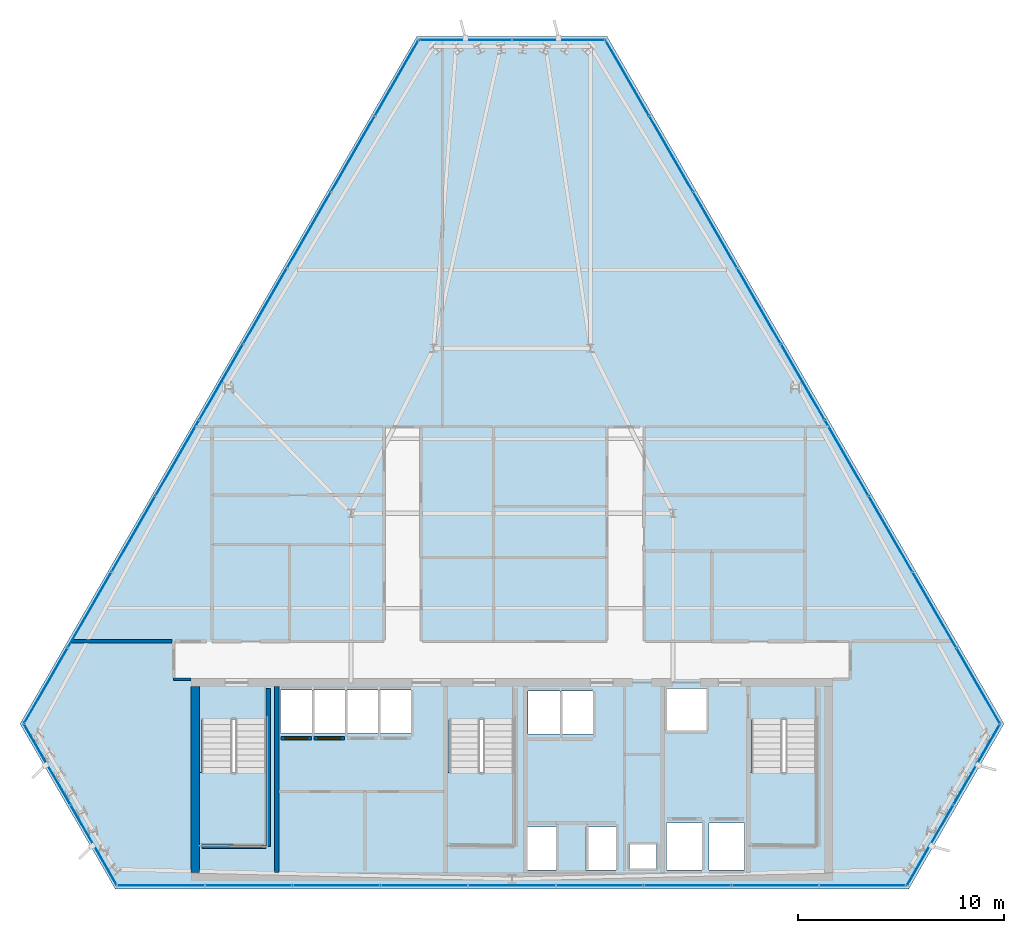
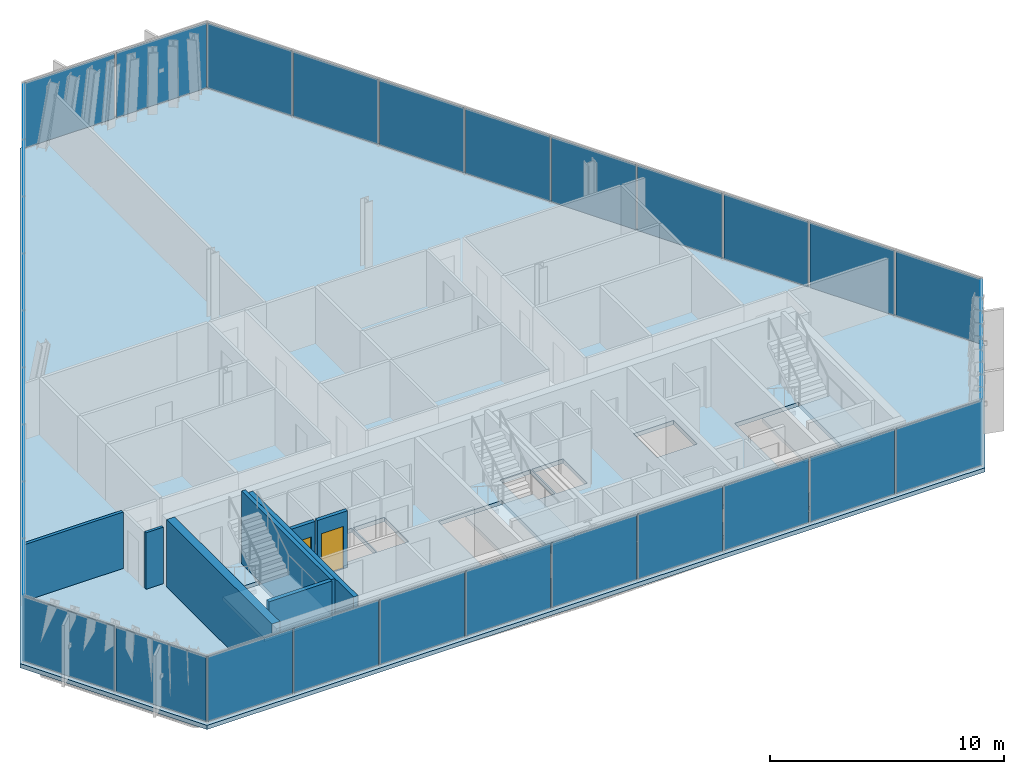
# One storey, part 26 of 34: 33 plates, 8 walls, 4 slabs, 2 doors, 2 openings, 9 elements without a shape of their own.
"""IFC4 building model written with IfcOpenShell, lengths in metres."""

from ifc_helpers import new_model, si_unit, direction, frame, frame_2d, origin, origin_2d, place, context, subcontext, project, spatial, polyline, rectangle, outline, extrude, material, layer, layer_set, type_object, element, fill, aggregate, save


model = new_model("IFC4")

# Units and contexts
model_context = context("Model", 3, precision=1e-05, world=origin(), true_north=direction((0.0, 1.0)))
body_context = subcontext(model_context, "Body", "Model", "MODEL_VIEW")
ifc_project = project(units=[si_unit("LENGTHUNIT", "METRE"), si_unit("AREAUNIT", "SQUARE_METRE"), si_unit("VOLUMEUNIT", "CUBIC_METRE"), si_unit("PLANEANGLEUNIT", "RADIAN"), si_unit("MASSUNIT", "GRAM", prefix="KILO")], contexts=[model_context])

# Site, building, storey
site_placement = place(None, origin())
site = spatial("IfcSite", under=ifc_project, at=site_placement, CompositionType="ELEMENT")
building_placement = place(site_placement, origin())
building = spatial("IfcBuilding", under=site, at=building_placement, Name="Ndaravel Arena Tower", CompositionType="ELEMENT")
storey_placement = place(building_placement, frame((0.0, 0.0, 199.199951171875)))
storey = spatial("IfcBuildingStorey", under=building, at=storey_placement, Name="L48", CompositionType="ELEMENT", Elevation=199.199951171875)

# Curtain wall, plate
ifc_material_1 = material(Name="Aluminium", Category="aluminium")
ifc_layer_1 = layer(ifc_material_1, 0.179931640625)
ifc_layer_set_1 = layer_set([ifc_layer_1], Name="Aluminium")
curtain_wall_type_1 = type_object("IfcCurtainWallType", Name="CW-SYS-01", PredefinedType="NOTDEFINED", material=ifc_layer_set_1)
curtain_wall_1_placement = place(storey_placement, origin())
curtain_wall_1 = element("IfcCurtainWall", 1, at=curtain_wall_1_placement, inside=storey, type_object=curtain_wall_type_1, Name="L48 Faceted Crystal Curtain Wall CW-L48-E02", PredefinedType="NOTDEFINED")
ifc_material_2 = material(Name="Glazing", Category="glass")
ifc_layer_2 = layer(ifc_material_2, 0.035888671875)
ifc_layer_set_2 = layer_set([ifc_layer_2], Name="Glazing")
plate_type_1 = type_object("IfcPlateType", Name="PLT-CW-OPVENT", PredefinedType="CURTAIN_PANEL", material=ifc_layer_set_2)
plate_1_placement = place(storey_placement, frame((64.52099609375, 11.03564453125, 0.06005859375), z_axis=(0.0, 0.0, 1.0), x_axis=(0.5, 0.866025403784, 0.0)))
plate_1 = element("IfcPlate", 2, at=plate_1_placement, type_object=plate_type_1, Name="CW-L48-E02 Operable Vent Sash Panel 02", PredefinedType="CURTAIN_PANEL", context=body_context, shape_type="SweptSolid", body=[
    extrude(rectangle(XDim=4.443115234375, YDim=0.035888671875, at=origin_2d()), origin(), (0.0, 0.0, 1.0), 3.39990234375),
])

curtain_wall_2_placement = place(storey_placement, origin())
curtain_wall_2 = element("IfcCurtainWall", 3, at=curtain_wall_2_placement, inside=storey, type_object=curtain_wall_type_1, Name="L48 Faceted Crystal Curtain Wall CW-L48-E04", PredefinedType="NOTDEFINED")
plate_2_placement = place(storey_placement, frame((39.738525390625, 46.1259765625, 0.06005859375), z_axis=(0.0, 0.0, 1.0), x_axis=(-1.0, 0.0, 0.0)))
plate_2 = element("IfcPlate", 4, at=plate_2_placement, type_object=plate_type_1, Name="CW-L48-E04 Operable Vent Sash Panel 02", PredefinedType="CURTAIN_PANEL", context=body_context, shape_type="SweptSolid", body=[
    extrude(rectangle(XDim=4.443115234375, YDim=0.035888671875, at=origin_2d()), origin(), (0.0, 0.0, 1.0), 3.39990234375),
])

ifc_material_3 = material(Name="Aluminium", Category="aluminium")
ifc_layer_3 = layer(ifc_material_3, 0.179931640625)
ifc_layer_set_3 = layer_set([ifc_layer_3], Name="Aluminium")
curtain_wall_type_2 = type_object("IfcCurtainWallType", Name="CW-SYS-02", PredefinedType="NOTDEFINED", material=ifc_layer_set_3)
curtain_wall_3_placement = place(storey_placement, origin())
curtain_wall_3 = element("IfcCurtainWall", 5, at=curtain_wall_3_placement, inside=storey, type_object=curtain_wall_type_2, Name="L48 Faceted Crystal Curtain Wall CW-L48-E06", PredefinedType="NOTDEFINED")
plate_3_placement = place(storey_placement, frame((21.740478515625, 7.118408203125, 0.06005859375), z_axis=(0.0, 0.0, 1.0), x_axis=(0.5, -0.866025403784, 0.0)))
plate_3 = element("IfcPlate", 6, at=plate_3_placement, type_object=plate_type_1, Name="CW-L48-E06 Operable Vent Sash Panel 02", PredefinedType="CURTAIN_PANEL", context=body_context, shape_type="SweptSolid", body=[
    extrude(rectangle(XDim=4.443115234375, YDim=0.035888671875, at=origin_2d()), origin(), (0.0, 0.0, 1.0), 3.39990234375),
])

# Plate
ifc_material_4 = material(Name="Glazing", Category="glass")
ifc_layer_4 = layer(ifc_material_4, 0.031982421875)
ifc_layer_set_4 = layer_set([ifc_layer_4], Name="Glazing")
plate_type_2 = type_object("IfcPlateType", Name="PLT-GLZ-FRIT35", PredefinedType="CURTAIN_PANEL", material=ifc_layer_set_4)
plate_4_placement = place(storey_placement, frame((62.259521484375, 7.118408203125, 0.06005859375), z_axis=(0.0, 0.0, 1.0), x_axis=(0.5, 0.866025403784, 0.0)))
plate_4 = element("IfcPlate", 7, at=plate_4_placement, type_object=plate_type_2, Name="CW-L48-E02 Vision Glass Panel 01", PredefinedType="CURTAIN_PANEL", context=body_context, shape_type="SweptSolid", body=[
    extrude(rectangle(XDim=4.443115234375, YDim=0.035888671875, at=origin_2d()), origin(), (0.0, 0.0, 1.0), 3.39990234375),
])

aggregate(curtain_wall_1, [plate_4, plate_1])

plate_5_placement = place(storey_placement, frame((44.261474609375, 46.1259765625, 0.06005859375), z_axis=(0.0, 0.0, 1.0), x_axis=(-1.0, 0.0, 0.0)))
plate_5 = element("IfcPlate", 8, at=plate_5_placement, type_object=plate_type_2, Name="CW-L48-E04 Vision Glass Panel 01", PredefinedType="CURTAIN_PANEL", context=body_context, shape_type="SweptSolid", body=[
    extrude(rectangle(XDim=4.443115234375, YDim=0.035888671875, at=origin_2d()), origin(), (0.0, 0.0, 1.0), 3.39990234375),
])

aggregate(curtain_wall_2, [plate_5, plate_2])

ifc_material_5 = material(Name="Glazing", Category="glass")
ifc_layer_5 = layer(ifc_material_5, 0.035888671875)
ifc_layer_set_5 = layer_set([ifc_layer_5], Name="Glazing")
plate_type_3 = type_object("IfcPlateType", Name="PLT-GLZ-FRIT55", PredefinedType="CURTAIN_PANEL", material=ifc_layer_set_5)
plate_6_placement = place(storey_placement, frame((19.47900390625, 11.03564453125, 0.06005859375), z_axis=(0.0, 0.0, 1.0), x_axis=(0.5, -0.866025403784, 0.0)))
plate_6 = element("IfcPlate", 9, at=plate_6_placement, type_object=plate_type_3, Name="CW-L48-E06 Vision Glass Panel 01", PredefinedType="CURTAIN_PANEL", context=body_context, shape_type="SweptSolid", body=[
    extrude(rectangle(XDim=4.443115234375, YDim=0.035888671875, at=origin_2d()), origin(), (0.0, 0.0, 1.0), 3.39990234375),
])

aggregate(curtain_wall_3, [plate_6, plate_3])

# Curtain wall, plates
ifc_material_6 = material(Name="Aluminium", Category="aluminium")
ifc_layer_6 = layer(ifc_material_6, 0.179931640625)
ifc_layer_set_6 = layer_set([ifc_layer_6], Name="Aluminium")
curtain_wall_type_3 = type_object("IfcCurtainWallType", Name="CW-SYS-03", PredefinedType="NOTDEFINED", material=ifc_layer_set_6)
curtain_wall_4_placement = place(storey_placement, origin())
curtain_wall_4 = element("IfcCurtainWall", 10, at=curtain_wall_4_placement, inside=storey, type_object=curtain_wall_type_3, Name="L48 Faceted Crystal Curtain Wall CW-L48-E01", PredefinedType="NOTDEFINED")
ifc_material_7 = material(Name="Glazing", Category="glass")
ifc_layer_7 = layer(ifc_material_7, 0.0400390625)
ifc_layer_set_7 = layer_set([ifc_layer_7], Name="Glazing")
plate_type_4 = type_object("IfcPlateType", Name="PLT-GLZ-LOWIRON", PredefinedType="CURTAIN_PANEL", material=ifc_layer_set_7)
plate_7_placement = place(storey_placement, frame((24.99658203125, 5.159912109375, 0.06005859375), z_axis=(0.0, 0.0, 1.0), x_axis=(1.0, 0.0, 0.0)))
plate_7 = element("IfcPlate", 11, at=plate_7_placement, type_object=plate_type_4, Name="CW-L48-E01 Vision Glass Panel 01", PredefinedType="CURTAIN_PANEL", context=body_context, shape_type="SweptSolid", body=[
    extrude(rectangle(XDim=4.1708984375, YDim=0.035888671875, at=origin_2d()), origin(), (0.0, 0.0, 1.0), 3.39990234375),
])
plate_8_placement = place(storey_placement, frame((29.24755859375, 5.159912109375, 0.06005859375), z_axis=(0.0, 0.0, 1.0), x_axis=(1.0, 0.0, 0.0)))
plate_8 = element("IfcPlate", 12, at=plate_8_placement, type_object=plate_type_4, Name="CW-L48-E01 Vision Glass Panel 02", PredefinedType="CURTAIN_PANEL", context=body_context, shape_type="SweptSolid", body=[
    extrude(rectangle(XDim=4.1708984375, YDim=0.035888671875, at=origin_2d()), origin(), (0.0, 0.0, 1.0), 3.39990234375),
])
plate_9_placement = place(storey_placement, frame((33.498291015625, 5.159912109375, 0.06005859375), z_axis=(0.0, 0.0, 1.0), x_axis=(1.0, 0.0, 0.0)))
plate_9 = element("IfcPlate", 13, at=plate_9_placement, type_object=plate_type_4, Name="CW-L48-E01 Vision Glass Panel 03", PredefinedType="CURTAIN_PANEL", context=body_context, shape_type="SweptSolid", body=[
    extrude(rectangle(XDim=4.1708984375, YDim=0.035888671875, at=origin_2d()), origin(), (0.0, 0.0, 1.0), 3.39990234375),
])
plate_10_placement = place(storey_placement, frame((37.749267578125, 5.159912109375, 0.06005859375), z_axis=(0.0, 0.0, 1.0), x_axis=(1.0, 0.0, 0.0)))
plate_10 = element("IfcPlate", 14, at=plate_10_placement, type_object=plate_type_4, Name="CW-L48-E01 Vision Glass Panel 04", PredefinedType="CURTAIN_PANEL", context=body_context, shape_type="SweptSolid", body=[
    extrude(rectangle(XDim=4.1708984375, YDim=0.035888671875, at=origin_2d()), origin(), (0.0, 0.0, 1.0), 3.39990234375),
])
plate_11_placement = place(storey_placement, frame((42.0, 5.159912109375, 0.06005859375), z_axis=(0.0, 0.0, 1.0), x_axis=(1.0, 0.0, 0.0)))
plate_11 = element("IfcPlate", 15, at=plate_11_placement, type_object=plate_type_4, Name="CW-L48-E01 Vision Glass Panel 05", PredefinedType="CURTAIN_PANEL", context=body_context, shape_type="SweptSolid", body=[
    extrude(rectangle(XDim=4.1708984375, YDim=0.035888671875, at=origin_2d()), origin(), (0.0, 0.0, 1.0), 3.39990234375),
])
plate_12_placement = place(storey_placement, frame((46.250732421875, 5.159912109375, 0.06005859375), z_axis=(0.0, 0.0, 1.0), x_axis=(1.0, 0.0, 0.0)))
plate_12 = element("IfcPlate", 16, at=plate_12_placement, type_object=plate_type_4, Name="CW-L48-E01 Vision Glass Panel 06", PredefinedType="CURTAIN_PANEL", context=body_context, shape_type="SweptSolid", body=[
    extrude(rectangle(XDim=4.1708984375, YDim=0.035888671875, at=origin_2d()), origin(), (0.0, 0.0, 1.0), 3.39990234375),
])
plate_13_placement = place(storey_placement, frame((50.501708984375, 5.159912109375, 0.06005859375), z_axis=(0.0, 0.0, 1.0), x_axis=(1.0, 0.0, 0.0)))
plate_13 = element("IfcPlate", 17, at=plate_13_placement, type_object=plate_type_4, Name="CW-L48-E01 Vision Glass Panel 07", PredefinedType="CURTAIN_PANEL", context=body_context, shape_type="SweptSolid", body=[
    extrude(rectangle(XDim=4.1708984375, YDim=0.035888671875, at=origin_2d()), origin(), (0.0, 0.0, 1.0), 3.39990234375),
])
plate_14_placement = place(storey_placement, frame((54.75244140625, 5.159912109375, 0.06005859375), z_axis=(0.0, 0.0, 1.0), x_axis=(1.0, 0.0, 0.0)))
plate_14 = element("IfcPlate", 18, at=plate_14_placement, type_object=plate_type_4, Name="CW-L48-E01 Vision Glass Panel 08", PredefinedType="CURTAIN_PANEL", context=body_context, shape_type="SweptSolid", body=[
    extrude(rectangle(XDim=4.1708984375, YDim=0.035888671875, at=origin_2d()), origin(), (0.0, 0.0, 1.0), 3.39990234375),
])
plate_15_placement = place(storey_placement, frame((59.00341796875, 5.159912109375, 0.06005859375), z_axis=(0.0, 0.0, 1.0), x_axis=(1.0, 0.0, 0.0)))
plate_15 = element("IfcPlate", 19, at=plate_15_placement, type_object=plate_type_4, Name="CW-L48-E01 Vision Glass Panel 09", PredefinedType="CURTAIN_PANEL", context=body_context, shape_type="SweptSolid", body=[
    extrude(rectangle(XDim=4.1708984375, YDim=0.035888671875, at=origin_2d()), origin(), (0.0, 0.0, 1.0), 3.39990234375),
])
aggregate(curtain_wall_4, [plate_7, plate_8, plate_9, plate_10, plate_11, plate_12, plate_13, plate_14, plate_15])

curtain_wall_5_placement = place(storey_placement, origin())
curtain_wall_5 = element("IfcCurtainWall", 20, at=curtain_wall_5_placement, inside=storey, type_object=curtain_wall_type_3, Name="L48 Faceted Crystal Curtain Wall CW-L48-E03", PredefinedType="NOTDEFINED")
plate_16_placement = place(storey_placement, frame((64.589111328125, 14.834716796875, 0.06005859375), z_axis=(0.0, 0.0, 1.0), x_axis=(-0.5, 0.866025403784, 0.0)))
plate_16 = element("IfcPlate", 21, at=plate_16_placement, type_object=plate_type_4, Name="CW-L48-E03 Vision Glass Panel 01", PredefinedType="CURTAIN_PANEL", context=body_context, shape_type="SweptSolid", body=[
    extrude(rectangle(XDim=4.1708984375, YDim=0.035888671875, at=origin_2d()), origin(), (0.0, 0.0, 1.0), 3.39990234375),
])
plate_17_placement = place(storey_placement, frame((62.463623046875, 18.51611328125, 0.06005859375), z_axis=(0.0, 0.0, 1.0), x_axis=(-0.5, 0.866025403784, 0.0)))
plate_17 = element("IfcPlate", 22, at=plate_17_placement, type_object=plate_type_4, Name="CW-L48-E03 Vision Glass Panel 02", PredefinedType="CURTAIN_PANEL", context=body_context, shape_type="SweptSolid", body=[
    extrude(rectangle(XDim=4.1708984375, YDim=0.035888671875, at=origin_2d()), origin(), (0.0, 0.0, 1.0), 3.39990234375),
])
plate_18_placement = place(storey_placement, frame((60.338134765625, 22.197509765625, 0.06005859375), z_axis=(0.0, 0.0, 1.0), x_axis=(-0.5, 0.866025403784, 0.0)))
plate_18 = element("IfcPlate", 23, at=plate_18_placement, type_object=plate_type_4, Name="CW-L48-E03 Vision Glass Panel 03", PredefinedType="CURTAIN_PANEL", context=body_context, shape_type="SweptSolid", body=[
    extrude(rectangle(XDim=4.1708984375, YDim=0.035888671875, at=origin_2d()), origin(), (0.0, 0.0, 1.0), 3.39990234375),
])
plate_19_placement = place(storey_placement, frame((58.212890625, 25.878662109375, 0.06005859375), z_axis=(0.0, 0.0, 1.0), x_axis=(-0.5, 0.866025403784, 0.0)))
plate_19 = element("IfcPlate", 24, at=plate_19_placement, type_object=plate_type_4, Name="CW-L48-E03 Vision Glass Panel 04", PredefinedType="CURTAIN_PANEL", context=body_context, shape_type="SweptSolid", body=[
    extrude(rectangle(XDim=4.1708984375, YDim=0.035888671875, at=origin_2d()), origin(), (0.0, 0.0, 1.0), 3.39990234375),
])
plate_20_placement = place(storey_placement, frame((56.08740234375, 29.56005859375, 0.06005859375), z_axis=(0.0, 0.0, 1.0), x_axis=(-0.5, 0.866025403784, 0.0)))
plate_20 = element("IfcPlate", 25, at=plate_20_placement, type_object=plate_type_4, Name="CW-L48-E03 Vision Glass Panel 05", PredefinedType="CURTAIN_PANEL", context=body_context, shape_type="SweptSolid", body=[
    extrude(rectangle(XDim=4.1708984375, YDim=0.035888671875, at=origin_2d()), origin(), (0.0, 0.0, 1.0), 3.39990234375),
])
plate_21_placement = place(storey_placement, frame((53.9619140625, 33.241455078125, 0.06005859375), z_axis=(0.0, 0.0, 1.0), x_axis=(-0.5, 0.866025403784, 0.0)))
plate_21 = element("IfcPlate", 26, at=plate_21_placement, type_object=plate_type_4, Name="CW-L48-E03 Vision Glass Panel 06", PredefinedType="CURTAIN_PANEL", context=body_context, shape_type="SweptSolid", body=[
    extrude(rectangle(XDim=4.1708984375, YDim=0.035888671875, at=origin_2d()), origin(), (0.0, 0.0, 1.0), 3.39990234375),
])
plate_22_placement = place(storey_placement, frame((51.83642578125, 36.922607421875, 0.06005859375), z_axis=(0.0, 0.0, 1.0), x_axis=(-0.5, 0.866025403784, 0.0)))
plate_22 = element("IfcPlate", 27, at=plate_22_placement, type_object=plate_type_4, Name="CW-L48-E03 Vision Glass Panel 07", PredefinedType="CURTAIN_PANEL", context=body_context, shape_type="SweptSolid", body=[
    extrude(rectangle(XDim=4.1708984375, YDim=0.035888671875, at=origin_2d()), origin(), (0.0, 0.0, 1.0), 3.39990234375),
])
plate_23_placement = place(storey_placement, frame((49.711181640625, 40.60400390625, 0.06005859375), z_axis=(0.0, 0.0, 1.0), x_axis=(-0.5, 0.866025403784, 0.0)))
plate_23 = element("IfcPlate", 28, at=plate_23_placement, type_object=plate_type_4, Name="CW-L48-E03 Vision Glass Panel 08", PredefinedType="CURTAIN_PANEL", context=body_context, shape_type="SweptSolid", body=[
    extrude(rectangle(XDim=4.1708984375, YDim=0.035888671875, at=origin_2d()), origin(), (0.0, 0.0, 1.0), 3.39990234375),
])
plate_24_placement = place(storey_placement, frame((47.585693359375, 44.285400390625, 0.06005859375), z_axis=(0.0, 0.0, 1.0), x_axis=(-0.5, 0.866025403784, 0.0)))
plate_24 = element("IfcPlate", 29, at=plate_24_placement, type_object=plate_type_4, Name="CW-L48-E03 Vision Glass Panel 09", PredefinedType="CURTAIN_PANEL", context=body_context, shape_type="SweptSolid", body=[
    extrude(rectangle(XDim=4.1708984375, YDim=0.035888671875, at=origin_2d()), origin(), (0.0, 0.0, 1.0), 3.39990234375),
])
aggregate(curtain_wall_5, [plate_16, plate_17, plate_18, plate_19, plate_20, plate_21, plate_22, plate_23, plate_24])

curtain_wall_6_placement = place(storey_placement, origin())
curtain_wall_6 = element("IfcCurtainWall", 30, at=curtain_wall_6_placement, inside=storey, type_object=curtain_wall_type_3, Name="L48 Faceted Crystal Curtain Wall CW-L48-E05", PredefinedType="NOTDEFINED")
plate_25_placement = place(storey_placement, frame((36.414306640625, 44.285400390625, 0.06005859375), z_axis=(0.0, 0.0, 1.0), x_axis=(-0.5, -0.866025403784, 0.0)))
plate_25 = element("IfcPlate", 31, at=plate_25_placement, type_object=plate_type_4, Name="CW-L48-E05 Vision Glass Panel 01", PredefinedType="CURTAIN_PANEL", context=body_context, shape_type="SweptSolid", body=[
    extrude(rectangle(XDim=4.1708984375, YDim=0.035888671875, at=origin_2d()), origin(), (0.0, 0.0, 1.0), 3.39990234375),
])
plate_26_placement = place(storey_placement, frame((34.288818359375, 40.60400390625, 0.06005859375), z_axis=(0.0, 0.0, 1.0), x_axis=(-0.5, -0.866025403784, 0.0)))
plate_26 = element("IfcPlate", 32, at=plate_26_placement, type_object=plate_type_4, Name="CW-L48-E05 Vision Glass Panel 02", PredefinedType="CURTAIN_PANEL", context=body_context, shape_type="SweptSolid", body=[
    extrude(rectangle(XDim=4.1708984375, YDim=0.035888671875, at=origin_2d()), origin(), (0.0, 0.0, 1.0), 3.39990234375),
])
plate_27_placement = place(storey_placement, frame((32.16357421875, 36.922607421875, 0.06005859375), z_axis=(0.0, 0.0, 1.0), x_axis=(-0.5, -0.866025403784, 0.0)))
plate_27 = element("IfcPlate", 33, at=plate_27_placement, type_object=plate_type_4, Name="CW-L48-E05 Vision Glass Panel 03", PredefinedType="CURTAIN_PANEL", context=body_context, shape_type="SweptSolid", body=[
    extrude(rectangle(XDim=4.1708984375, YDim=0.035888671875, at=origin_2d()), origin(), (0.0, 0.0, 1.0), 3.39990234375),
])
plate_28_placement = place(storey_placement, frame((30.0380859375, 33.241455078125, 0.06005859375), z_axis=(0.0, 0.0, 1.0), x_axis=(-0.5, -0.866025403784, 0.0)))
plate_28 = element("IfcPlate", 34, at=plate_28_placement, type_object=plate_type_4, Name="CW-L48-E05 Vision Glass Panel 04", PredefinedType="CURTAIN_PANEL", context=body_context, shape_type="SweptSolid", body=[
    extrude(rectangle(XDim=4.1708984375, YDim=0.035888671875, at=origin_2d()), origin(), (0.0, 0.0, 1.0), 3.39990234375),
])
plate_29_placement = place(storey_placement, frame((27.91259765625, 29.56005859375, 0.06005859375), z_axis=(0.0, 0.0, 1.0), x_axis=(-0.5, -0.866025403784, 0.0)))
plate_29 = element("IfcPlate", 35, at=plate_29_placement, type_object=plate_type_4, Name="CW-L48-E05 Vision Glass Panel 05", PredefinedType="CURTAIN_PANEL", context=body_context, shape_type="SweptSolid", body=[
    extrude(rectangle(XDim=4.1708984375, YDim=0.035888671875, at=origin_2d()), origin(), (0.0, 0.0, 1.0), 3.39990234375),
])
plate_30_placement = place(storey_placement, frame((25.787109375, 25.878662109375, 0.06005859375), z_axis=(0.0, 0.0, 1.0), x_axis=(-0.5, -0.866025403784, 0.0)))
plate_30 = element("IfcPlate", 36, at=plate_30_placement, type_object=plate_type_4, Name="CW-L48-E05 Vision Glass Panel 06", PredefinedType="CURTAIN_PANEL", context=body_context, shape_type="SweptSolid", body=[
    extrude(rectangle(XDim=4.1708984375, YDim=0.035888671875, at=origin_2d()), origin(), (0.0, 0.0, 1.0), 3.39990234375),
])
plate_31_placement = place(storey_placement, frame((23.661865234375, 22.197509765625, 0.06005859375), z_axis=(0.0, 0.0, 1.0), x_axis=(-0.5, -0.866025403784, 0.0)))
plate_31 = element("IfcPlate", 37, at=plate_31_placement, type_object=plate_type_4, Name="CW-L48-E05 Vision Glass Panel 07", PredefinedType="CURTAIN_PANEL", context=body_context, shape_type="SweptSolid", body=[
    extrude(rectangle(XDim=4.1708984375, YDim=0.035888671875, at=origin_2d()), origin(), (0.0, 0.0, 1.0), 3.39990234375),
])
plate_32_placement = place(storey_placement, frame((21.536376953125, 18.51611328125, 0.06005859375), z_axis=(0.0, 0.0, 1.0), x_axis=(-0.5, -0.866025403784, 0.0)))
plate_32 = element("IfcPlate", 38, at=plate_32_placement, type_object=plate_type_4, Name="CW-L48-E05 Vision Glass Panel 08", PredefinedType="CURTAIN_PANEL", context=body_context, shape_type="SweptSolid", body=[
    extrude(rectangle(XDim=4.1708984375, YDim=0.035888671875, at=origin_2d()), origin(), (0.0, 0.0, 1.0), 3.39990234375),
])
plate_33_placement = place(storey_placement, frame((19.410888671875, 14.834716796875, 0.06005859375), z_axis=(0.0, 0.0, 1.0), x_axis=(-0.5, -0.866025403784, 0.0)))
plate_33 = element("IfcPlate", 39, at=plate_33_placement, type_object=plate_type_4, Name="CW-L48-E05 Vision Glass Panel 09", PredefinedType="CURTAIN_PANEL", context=body_context, shape_type="SweptSolid", body=[
    extrude(rectangle(XDim=4.1708984375, YDim=0.035888671875, at=origin_2d()), origin(), (0.0, 0.0, 1.0), 3.39990234375),
])
aggregate(curtain_wall_6, [plate_25, plate_26, plate_27, plate_28, plate_29, plate_30, plate_31, plate_32, plate_33])

# Stair, slab
ifc_material_8 = material(Name="Concrete C40/50", Category="concrete")
stair_type = type_object("IfcStairType", Name="STAIR-CORE-HT", PredefinedType="HALF_TURN_STAIR", material=ifc_material_8)
stair_1_placement = place(storey_placement, origin())
stair_1 = element("IfcStair", 40, at=stair_1_placement, inside=storey, type_object=stair_type, Name="L48 ST-1", PredefinedType="HALF_TURN_STAIR")
ifc_material_9 = material(Name="Concrete C40/50", Category="concrete")
ifc_layer_8 = layer(ifc_material_9, 0.199951171875)
ifc_layer_set_8 = layer_set([ifc_layer_8], Name="Concrete C40/50")
slab_type_1 = type_object("IfcSlabType", Name="SLAB-STAIR-LANDING", PredefinedType="LANDING", material=ifc_layer_set_8)
slab_1_placement = place(storey_placement, frame((0.0, 0.0, 1.699951171875)))
slab_1 = element("IfcSlab", 41, at=slab_1_placement, type_object=slab_type_1, Name="ST-1 landing 1", PredefinedType="LANDING", context=body_context, shape_type="SweptSolid", body=[
    extrude(outline(polyline([(26.81005859375, 10.6298828125), (26.81005859375, 7.070068359375), (30.169921875, 7.070068359375), (30.169921875, 10.6298828125), (26.81005859375, 10.6298828125)])), origin(), (0.0, 0.0, 1.0), 0.2001953125),
])
aggregate(stair_1, [slab_1])

stair_2_placement = place(storey_placement, origin())
stair_2 = element("IfcStair", 42, at=stair_2_placement, inside=storey, type_object=stair_type, Name="L48 ST-2", PredefinedType="HALF_TURN_STAIR")
slab_2_placement = place(storey_placement, frame((0.0, 0.0, 1.699951171875)))
slab_2 = element("IfcSlab", 43, at=slab_2_placement, type_object=slab_type_1, Name="ST-2 landing 1", PredefinedType="LANDING", context=body_context, shape_type="SweptSolid", body=[
    extrude(outline(polyline([(38.81005859375, 10.6298828125), (38.81005859375, 7.070068359375), (42.169921875, 7.070068359375), (42.169921875, 10.6298828125), (38.81005859375, 10.6298828125)])), origin(), (0.0, 0.0, 1.0), 0.2001953125),
])
aggregate(stair_2, [slab_2])

stair_3_placement = place(storey_placement, origin())
stair_3 = element("IfcStair", 44, at=stair_3_placement, inside=storey, type_object=stair_type, Name="L48 ST-3", PredefinedType="HALF_TURN_STAIR")
slab_3_placement = place(storey_placement, frame((0.0, 0.0, 1.699951171875)))
slab_3 = element("IfcSlab", 45, at=slab_3_placement, type_object=slab_type_1, Name="ST-3 landing 1", PredefinedType="LANDING", context=body_context, shape_type="SweptSolid", body=[
    extrude(outline(polyline([(53.4599609375, 10.6298828125), (53.4599609375, 7.070068359375), (56.820068359375, 7.070068359375), (56.820068359375, 10.6298828125), (53.4599609375, 10.6298828125)])), origin(), (0.0, 0.0, 1.0), 0.2001953125),
])
aggregate(stair_3, [slab_3])

# Slab
ifc_material_10 = material(Name="Concrete C40/50", Category="concrete")
ifc_layer_9 = layer(ifc_material_10, 0.219970703125)
ifc_layer_set_9 = layer_set([ifc_layer_9], Name="Concrete C40/50")
slab_type_2 = type_object("IfcSlabType", Name="SLAB-TWR-220", PredefinedType="FLOOR", material=ifc_layer_set_9)
slab_4_placement = place(storey_placement, frame((0.0, 0.0, -0.219970703125)))
element("IfcSlab", 46, at=slab_4_placement, inside=storey, type_object=slab_type_2, Name="L48 Structural Floor Slab", PredefinedType="FLOOR", context=body_context, shape_type="SweptSolid", body=[
    extrude(outline(polyline([(18.16357421875, 12.994140625), (22.77880859375, 5.0), (61.22119140625, 5.0), (65.83642578125, 12.994140625), (46.615478515625, 46.285888671875), (37.384521484375, 46.285888671875), (18.16357421875, 12.994140625)]), holes=[polyline([(26.949951171875, 13.215087890625), (26.949951171875, 7.14990234375), (30.090087890625, 7.14990234375), (30.090087890625, 13.215087890625), (26.949951171875, 13.215087890625)]), polyline([(38.949951171875, 13.215087890625), (38.949951171875, 7.14990234375), (42.090087890625, 7.14990234375), (42.090087890625, 13.215087890625), (38.949951171875, 13.215087890625)]), polyline([(53.60009765625, 13.215087890625), (53.60009765625, 7.14990234375), (56.739990234375, 7.14990234375), (56.739990234375, 13.215087890625), (53.60009765625, 13.215087890625)]), polyline([(30.784912109375, 12.56005859375), (32.31494140625, 12.56005859375), (32.31494140625, 14.639892578125), (30.784912109375, 14.639892578125), (30.784912109375, 12.56005859375)]), polyline([(32.385009765625, 12.56005859375), (33.9150390625, 12.56005859375), (33.9150390625, 14.639892578125), (32.385009765625, 14.639892578125), (32.385009765625, 12.56005859375)]), polyline([(33.985107421875, 12.56005859375), (35.514892578125, 12.56005859375), (35.514892578125, 14.639892578125), (33.985107421875, 14.639892578125), (33.985107421875, 12.56005859375)]), polyline([(35.5849609375, 12.56005859375), (37.114990234375, 12.56005859375), (37.114990234375, 14.639892578125), (35.5849609375, 14.639892578125), (35.5849609375, 12.56005859375)]), polyline([(42.659912109375, 5.909912109375), (44.139892578125, 5.909912109375), (44.139892578125, 7.989990234375), (42.659912109375, 7.989990234375), (42.659912109375, 5.909912109375)]), polyline([(45.56005859375, 5.909912109375), (47.0400390625, 5.909912109375), (47.0400390625, 7.989990234375), (45.56005859375, 7.989990234375), (45.56005859375, 5.909912109375)]), polyline([(42.784912109375, 12.510009765625), (44.31494140625, 12.510009765625), (44.31494140625, 14.590087890625), (42.784912109375, 14.590087890625), (42.784912109375, 12.510009765625)]), polyline([(44.385009765625, 12.510009765625), (45.9150390625, 12.510009765625), (45.9150390625, 14.590087890625), (44.385009765625, 14.590087890625), (44.385009765625, 12.510009765625)]), polyline([(49.485107421875, 5.909912109375), (51.215087890625, 5.909912109375), (51.215087890625, 8.18994140625), (49.485107421875, 8.18994140625), (49.485107421875, 5.909912109375)]), polyline([(51.534912109375, 5.909912109375), (53.264892578125, 5.909912109375), (53.264892578125, 8.18994140625), (51.534912109375, 8.18994140625), (51.534912109375, 5.909912109375)]), polyline([(49.4599609375, 12.68505859375), (51.43994140625, 12.68505859375), (51.43994140625, 14.715087890625), (49.4599609375, 14.715087890625), (49.4599609375, 12.68505859375)]), polyline([(47.699951171875, 6.0), (49.0, 6.0), (49.0, 7.139892578125), (47.699951171875, 7.139892578125), (47.699951171875, 6.0)])]), origin(), (0.0, 0.0, 1.0), 0.219970703125),
])

# Walls
ifc_material_11 = material(Name="Concrete C50/60", Category="concrete")
ifc_layer_10 = layer(ifc_material_11, 0.219970703125)
ifc_layer_set_10 = layer_set([ifc_layer_10], Name="Concrete C50/60")
wall_type_1 = type_object("IfcWallType", Name="WALL-CORE-220", PredefinedType="SOLIDWALL", material=ifc_layer_set_10)
wall_1_placement = place(storey_placement, frame((30.60009765625, 5.800048828125, 0.0), z_axis=(0.0, 0.0, 1.0), x_axis=(0.0, 1.0, 0.0)))
element("IfcWall", 47, at=wall_1_placement, inside=storey, type_object=wall_type_1, Name="L48 Core Web Shear Wall 1", PredefinedType="SOLIDWALL", context=body_context, shape_type="SweptSolid", body=[
    extrude(rectangle(XDim=9.0, YDim=0.219970703125, at=frame_2d((4.5, 0.0))), origin(), (0.0, 0.0, 1.0), 3.52001953125),
])
ifc_material_12 = material(Name="Concrete C50/60", Category="concrete")
ifc_layer_11 = layer(ifc_material_12, 0.39990234375)
ifc_layer_set_11 = layer_set([ifc_layer_11], Name="Concrete C50/60")
wall_type_2 = type_object("IfcWallType", Name="WALL-CORE-400", PredefinedType="SOLIDWALL", material=ifc_layer_set_11)
wall_2_placement = place(storey_placement, frame((26.64990234375, 5.800048828125, 0.0), z_axis=(0.0, 0.0, 1.0), x_axis=(0.0, 1.0, 0.0)))
element("IfcWall", 48, at=wall_2_placement, inside=storey, type_object=wall_type_2, Name="L48 Core West Shear Wall", PredefinedType="SOLIDWALL", context=body_context, shape_type="SweptSolid", body=[
    extrude(rectangle(XDim=9.0, YDim=0.39990234375, at=frame_2d((4.5, 0.0))), origin(), (0.0, 0.0, 1.0), 3.52001953125),
])
ifc_material_13 = material(Name="Gypsum", Category="gypsum")
ifc_layer_12 = layer(ifc_material_13, 0.125)
ifc_layer_set_12 = layer_set([ifc_layer_12], Name="Gypsum")
wall_type_3 = type_object("IfcWallType", Name="WALL-PART-125", PredefinedType="PARTITIONING", material=ifc_layer_set_12)
wall_3_placement = place(storey_placement, frame((26.449951171875, 15.14990234375, 0.0), z_axis=(0.0, 0.0, 1.0), x_axis=(-1.0, 0.0, 0.0)))
element("IfcWall", 49, at=wall_3_placement, inside=storey, type_object=wall_type_3, Name="L48 Interior Partition 003", PredefinedType="PARTITIONING", context=body_context, shape_type="SweptSolid", body=[
    extrude(rectangle(XDim=0.849853515625, YDim=0.125, at=frame_2d((0.4248046875, 0.0))), origin(), (0.0, 0.0, 1.0), 2.950439453125),
])
ifc_material_14 = material(Name="Concrete C40/50", Category="concrete")
ifc_layer_13 = layer(ifc_material_14, 0.199951171875)
ifc_layer_set_13 = layer_set([ifc_layer_13], Name="Concrete C40/50")
wall_type_4 = type_object("IfcWallType", Name="WALL-SHAFT-200", PredefinedType="SOLIDWALL", material=ifc_layer_set_13)
wall_4_placement = place(storey_placement, frame((30.18994140625, 14.699951171875, 0.0), z_axis=(0.0, 0.0, 1.0), x_axis=(0.0, -1.0, 0.0)))
element("IfcWall", 50, at=wall_4_placement, inside=storey, type_object=wall_type_4, Name="L48 ST-1 Structural Shaft Wall Right", PredefinedType="SOLIDWALL", context=body_context, shape_type="SweptSolid", body=[
    extrude(rectangle(XDim=7.64990234375, YDim=0.199951171875, at=frame_2d((3.824951171875, 0.0))), origin(), (0.0, 0.0, 1.0), 3.800048828125),
])
wall_5_placement = place(storey_placement, frame((26.969970703125, 7.050048828125, 0.0), z_axis=(0.0, 0.0, 1.0), x_axis=(1.0, 0.0, 0.0)))
element("IfcWall", 51, at=wall_5_placement, inside=storey, type_object=wall_type_4, Name="L48 ST-1 Structural Shaft Wall Far", PredefinedType="SOLIDWALL", context=body_context, shape_type="SweptSolid", body=[
    extrude(rectangle(XDim=3.114990234375, YDim=0.199951171875, at=frame_2d((1.5576171875, 0.0))), origin(), (0.0, 0.0, 1.0), 3.800048828125),
])

# Wall, opening, door
wall_6_placement = place(storey_placement, frame((30.804931640625, 12.300048828125, 0.0), z_axis=(0.0, 0.0, 1.0), x_axis=(1.0, 0.0, 0.0)))
wall_6 = element("IfcWall", 52, at=wall_6_placement, inside=storey, type_object=wall_type_4, Name="L48 PL-M1 Shaft Landing Wall", PredefinedType="SOLIDWALL", context=body_context, shape_type="SweptSolid", body=[
    extrude(rectangle(XDim=1.489990234375, YDim=0.179931640625, at=frame_2d((0.7451171875, 0.0))), origin(), (0.0, 0.0, 1.0), 2.950439453125),
])
opening_1_placement = place(wall_6_placement, frame((0.195068359375, 0.0, 0.0)))
opening_1 = element("IfcOpeningElement", 53, at=opening_1_placement, cuts=wall_6, Name="Opening LD-01", PredefinedType="OPENING", context=body_context, shape_type="SweptSolid", body=[
    extrude(rectangle(XDim=1.10009765625, YDim=2.199951171875, at=frame_2d((0.550048828125, 1.10009765625))), frame((0.0, 0.08984375, 0.0), z_axis=(0.0, -1.0, 0.0), x_axis=(1.0, 0.0, 0.0)), (0.0, 0.0, 1.0), 0.179931640625),
])
ifc_material_15 = material(Name="Steel S355", Category="steel")
door_type = type_object("IfcDoorType", Name="DT-06-LIFT-1100", OperationType="SLIDING_TO_LEFT", PredefinedType="DOOR", material=ifc_material_15)
door_1_placement = place(opening_1_placement, origin())
door_1 = element("IfcDoor", 54, at=door_1_placement, inside=storey, type_object=door_type, Name="L48 Lift PL-M1 Sliding Landing Door", OperationType="SLIDING_TO_LEFT", OverallHeight=2.199951171875, OverallWidth=1.10009765625, PredefinedType="DOOR", context=body_context, shape_type="SweptSolid", body=[
    extrude(rectangle(XDim=1.10009765625, YDim=2.199951171875, at=frame_2d((0.550048828125, 1.10009765625))), frame((0.0, 0.02490234375, 0.0), z_axis=(0.0, -1.0, 0.0), x_axis=(1.0, 0.0, 0.0)), (0.0, 0.0, 1.0), 0.050048828125),
])
fill(opening_1, door_1)

wall_7_placement = place(storey_placement, frame((32.405029296875, 12.300048828125, 0.0), z_axis=(0.0, 0.0, 1.0), x_axis=(1.0, 0.0, 0.0)))
wall_7 = element("IfcWall", 55, at=wall_7_placement, inside=storey, type_object=wall_type_4, Name="L48 PL-M2 Shaft Landing Wall", PredefinedType="SOLIDWALL", context=body_context, shape_type="SweptSolid", body=[
    extrude(rectangle(XDim=1.489990234375, YDim=0.179931640625, at=frame_2d((0.7451171875, 0.0))), origin(), (0.0, 0.0, 1.0), 2.950439453125),
])
opening_2_placement = place(wall_7_placement, frame((0.195068359375, 0.0, 0.0)))
opening_2 = element("IfcOpeningElement", 56, at=opening_2_placement, cuts=wall_7, Name="Opening LD-01", PredefinedType="OPENING", context=body_context, shape_type="SweptSolid", body=[
    extrude(rectangle(XDim=1.10009765625, YDim=2.199951171875, at=frame_2d((0.550048828125, 1.10009765625))), frame((0.0, 0.08984375, 0.0), z_axis=(0.0, -1.0, 0.0), x_axis=(1.0, 0.0, 0.0)), (0.0, 0.0, 1.0), 0.179931640625),
])
door_2_placement = place(opening_2_placement, origin())
door_2 = element("IfcDoor", 57, at=door_2_placement, inside=storey, type_object=door_type, Name="L48 Lift PL-M2 Sliding Landing Door", OperationType="SLIDING_TO_LEFT", OverallHeight=2.199951171875, OverallWidth=1.10009765625, PredefinedType="DOOR", context=body_context, shape_type="SweptSolid", body=[
    extrude(rectangle(XDim=1.10009765625, YDim=2.199951171875, at=frame_2d((0.550048828125, 1.10009765625))), frame((0.0, 0.02490234375, 0.0), z_axis=(0.0, -1.0, 0.0), x_axis=(1.0, 0.0, 0.0)), (0.0, 0.0, 1.0), 0.050048828125),
])
fill(opening_2, door_2)

# Wall
ifc_material_16 = material(Name="Masonry", Category="masonry")
ifc_layer_14 = layer(ifc_material_16, 0.14990234375)
ifc_layer_set_14 = layer_set([ifc_layer_14], Name="Masonry")
wall_type_5 = type_object("IfcWallType", Name="WALL-WET-150", PredefinedType="PARTITIONING", material=ifc_layer_set_14)
wall_8_placement = place(storey_placement, frame((20.6611328125, 17.0, 0.0), z_axis=(0.0, 0.0, 1.0), x_axis=(1.0, 0.0, 0.0)))
element("IfcWall", 58, at=wall_8_placement, inside=storey, type_object=wall_type_5, Name="L48 Interior Partition 026", PredefinedType="PARTITIONING", context=body_context, shape_type="SweptSolid", body=[
    extrude(rectangle(XDim=4.873779296875, YDim=0.14990234375, at=frame_2d((2.43701171875, 0.0))), origin(), (0.0, 0.0, 1.0), 2.950439453125),
])

save(model, "model.ifc")
